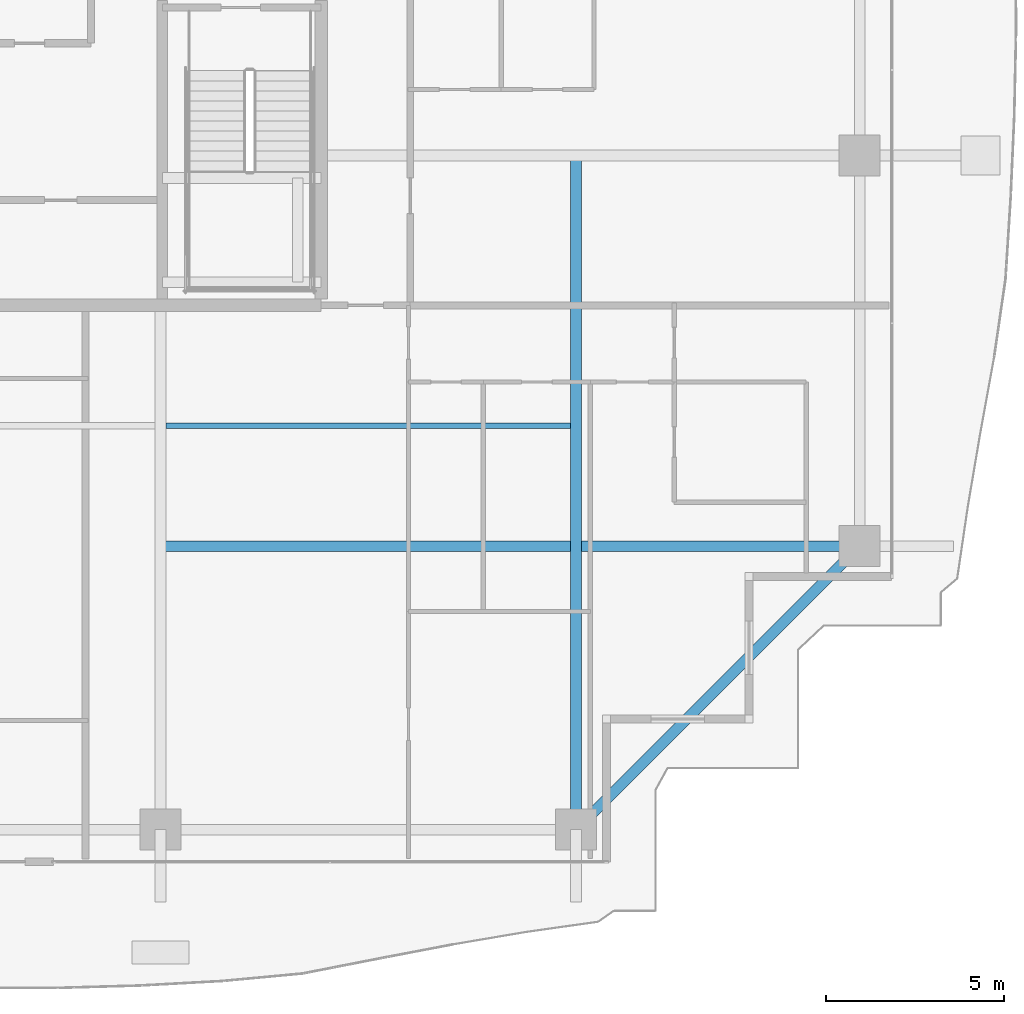
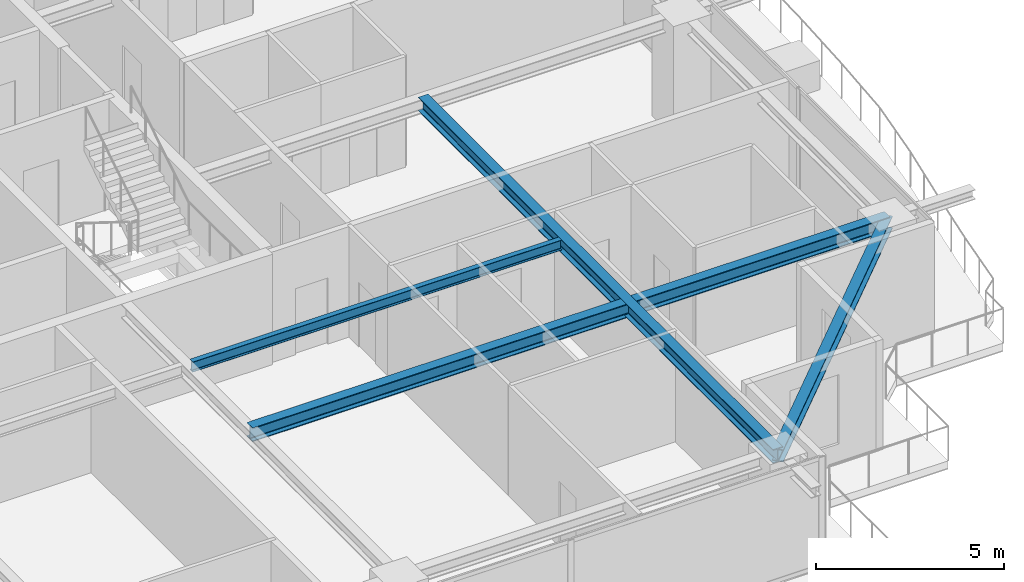
# One storey, part 12 of 37: 4 beams.
"""IFC4 building model written with IfcOpenShell, lengths in metres."""

from ifc_helpers import new_model, si_unit, direction, frame, origin, origin_2d, place, context, subcontext, project, spatial, i_section, extrude, source, transform, mapped, material, material_profile, profile_set, type_object, element, save


model = new_model("IFC4")

# Units and contexts
model_context = context("Model", 3, precision=1e-05, world=origin(), true_north=direction((0.0, 1.0)))
body_context = subcontext(model_context, "Body", "Model", "MODEL_VIEW")
ifc_project = project(units=[si_unit("LENGTHUNIT", "METRE"), si_unit("AREAUNIT", "SQUARE_METRE"), si_unit("VOLUMEUNIT", "CUBIC_METRE"), si_unit("PLANEANGLEUNIT", "RADIAN"), si_unit("MASSUNIT", "GRAM", prefix="KILO")], contexts=[model_context])

# Site, building, storey
site_placement = place(None, origin())
site = spatial("IfcSite", under=ifc_project, at=site_placement, CompositionType="ELEMENT")
building_placement = place(site_placement, origin())
building = spatial("IfcBuilding", under=site, at=building_placement, Name="Serunith Strait Residences", CompositionType="ELEMENT")
storey_placement = place(building_placement, frame((0.0, 0.0, 260.5)))
storey = spatial("IfcBuildingStorey", under=building, at=storey_placement, Name="L65", CompositionType="ELEMENT", Elevation=260.5)

# Beams
ifc_material = material(Name="Steel S355J2", Category="steel")
ifc_material_profile_1 = material_profile(ifc_material, i_section(OverallWidth=0.300048828125, OverallDepth=0.449951171875, WebThickness=0.013916015625, FlangeThickness=0.02587890625, FilletRadius=0.027099609375, at=origin_2d()), Name="HEB 450")
ifc_profile_set_1 = profile_set([ifc_material_profile_1], Name="Steel S355J2")
beam_type_1 = type_object("IfcBeamType", Name="BM-HEB450", PredefinedType="BEAM", material=ifc_profile_set_1)
shared_shape_1 = source(origin(), body_context, "Body", "SweptSolid", [
    extrude(i_section(OverallWidth=0.300048828125, OverallDepth=0.449951171875, WebThickness=0.013916015625, FlangeThickness=0.02587890625, FilletRadius=0.027099609375, at=origin_2d()), origin(), (0.0, 0.0, 1.0), 18.89990234375),
])
beam_1_placement = place(storey_placement, frame((48.550048828125, 21.0, 3.362060546875), z_axis=(0.0, -1.0, 0.0), x_axis=(1.0, 0.0, 0.0)))
element("IfcBeam", 1, at=beam_1_placement, inside=storey, type_object=beam_type_1, Name="L65 Orthogonal Corner Girder TC-S4", PredefinedType="BEAM", context=body_context, shape_type="MappedRepresentation", body=[
    mapped(shared_shape_1, transform((0.0, 0.0, 0.0), scale=1.0)),
])
shared_shape_2 = source(origin(), body_context, "Body", "SweptSolid", [
    extrude(i_section(OverallWidth=0.300048828125, OverallDepth=0.449951171875, WebThickness=0.013916015625, FlangeThickness=0.02587890625, FilletRadius=0.027099609375, at=origin_2d()), origin(), (0.0, 0.0, 1.0), 19.60009765625),
])
beam_2_placement = place(storey_placement, frame((36.89990234375, 10.050048828125, 3.362060546875), z_axis=(1.0, 0.0, 0.0), x_axis=(0.0, 1.0, 0.0)))
element("IfcBeam", 2, at=beam_2_placement, inside=storey, type_object=beam_type_1, Name="L65 Orthogonal Corner Girder TC-E1", PredefinedType="BEAM", context=body_context, shape_type="MappedRepresentation", body=[
    mapped(shared_shape_2, transform((0.0, 0.0, 0.0), scale=1.0)),
])
ifc_material_profile_2 = material_profile(ifc_material, i_section(OverallWidth=0.300048828125, OverallDepth=0.39990234375, WebThickness=0.013427734375, FlangeThickness=0.02392578125, FilletRadius=0.027099609375, at=origin_2d()), Name="HEB 400")
ifc_profile_set_2 = profile_set([ifc_material_profile_2], Name="Steel S355J2")
beam_type_2 = type_object("IfcBeamType", Name="BM-HEB400", PredefinedType="BEAM", material=ifc_profile_set_2)
shared_shape_3 = source(origin(), body_context, "Body", "SweptSolid", [
    extrude(i_section(OverallWidth=0.300048828125, OverallDepth=0.39990234375, WebThickness=0.013427734375, FlangeThickness=0.02392578125, FilletRadius=0.027099609375, at=origin_2d()), origin(), (0.0, 0.0, 1.0), 11.242919921875),
])
beam_3_placement = place(storey_placement, frame((48.550048828125, 2.10009765625, 3.35693359375), z_axis=(0.707106781187, 0.707106781187, 0.0), x_axis=(-0.707106781187, 0.707106781187, 0.0)))
element("IfcBeam", 3, at=beam_3_placement, inside=storey, type_object=beam_type_2, Name="L65 Perimeter Ring Beam 04", PredefinedType="BEAM", context=body_context, shape_type="MappedRepresentation", body=[
    mapped(shared_shape_3, transform((0.0, 0.0, 0.0), scale=1.0)),
])
ifc_material_profile_3 = material_profile(ifc_material, i_section(OverallWidth=0.159912109375, OverallDepth=0.330078125, WebThickness=0.007568359375, FlangeThickness=0.011474609375, FilletRadius=0.01806640625, at=origin_2d()), Name="IPE 330")
ifc_profile_set_3 = profile_set([ifc_material_profile_3], Name="Steel S355J2")
beam_type_3 = type_object("IfcBeamType", Name="BM-IPE330", PredefinedType="JOIST", material=ifc_profile_set_3)
shared_shape_4 = source(origin(), body_context, "Body", "SweptSolid", [
    extrude(i_section(OverallWidth=0.159912109375, OverallDepth=0.330078125, WebThickness=0.007568359375, FlangeThickness=0.011474609375, FilletRadius=0.01806640625, at=origin_2d()), origin(), (0.0, 0.0, 1.0), 11.349853515625),
])
beam_4_placement = place(storey_placement, frame((37.050048828125, 13.425048828125, 3.422119140625), z_axis=(1.0, 0.0, 0.0), x_axis=(0.0, 1.0, 0.0)))
element("IfcBeam", 4, at=beam_4_placement, inside=storey, type_object=beam_type_3, Name="L65 Composite Floor Joist 03", PredefinedType="JOIST", context=body_context, shape_type="MappedRepresentation", body=[
    mapped(shared_shape_4, transform((0.0, 0.0, 0.0), scale=1.0)),
])

save(model, "model.ifc")
